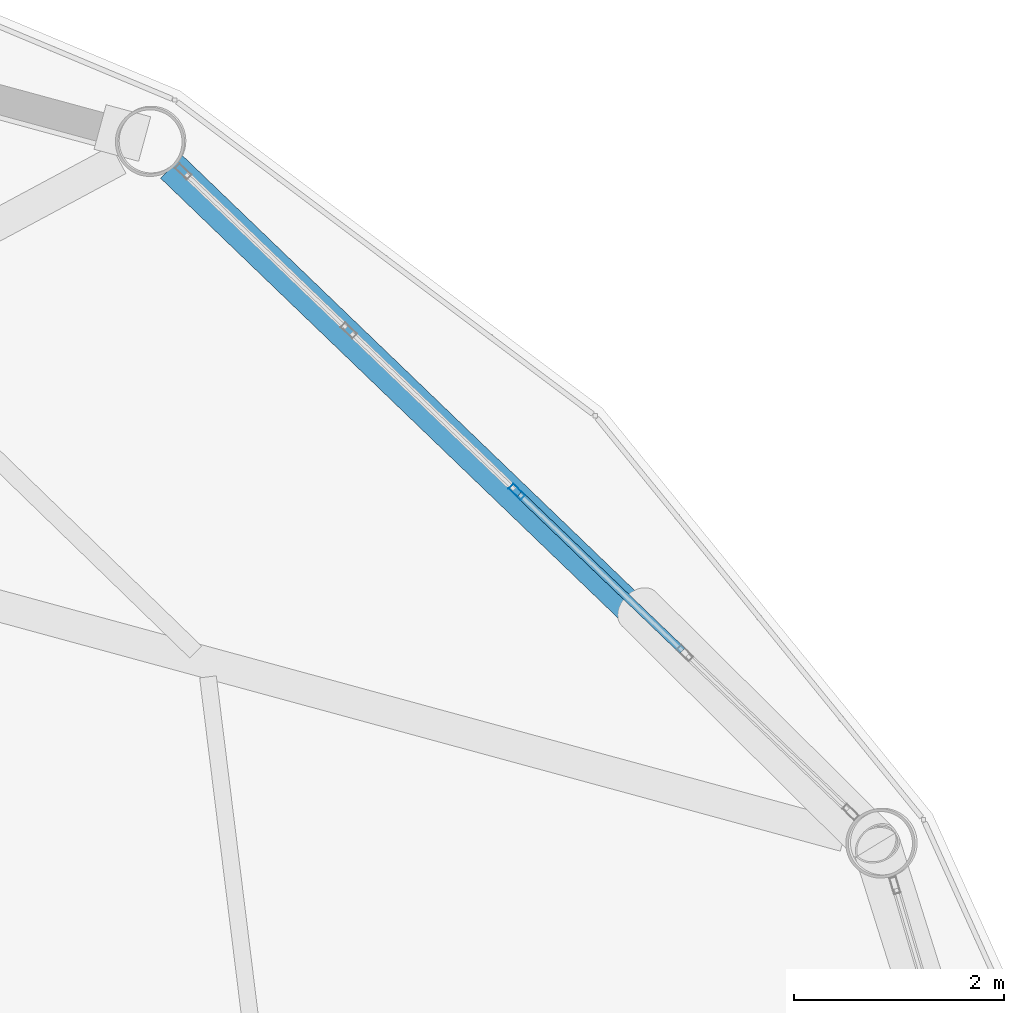
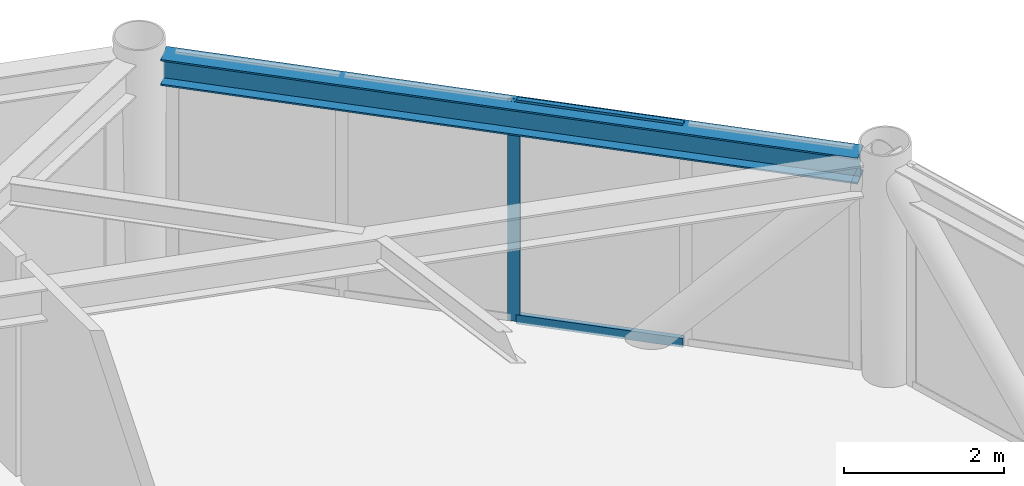
# One storey, part 17 of 28: 3 members, 1 beam, 1 element without a shape of its own.
"""IFC4 building model written with IfcOpenShell, lengths in metres."""

from ifc_helpers import new_model, si_unit, direction, frame, origin, origin_2d, place, context, subcontext, project, spatial, hollow_rectangle, i_section, extrude, material, layer, layer_set, material_profile, profile_set, type_object, element, aggregate, save


model = new_model("IFC4")

# Units and contexts
model_context = context("Model", 3, precision=1e-05, world=origin(), true_north=direction((0.0, 1.0)))
body_context = subcontext(model_context, "Body", "Model", "MODEL_VIEW")
ifc_project = project(units=[si_unit("LENGTHUNIT", "METRE"), si_unit("AREAUNIT", "SQUARE_METRE"), si_unit("VOLUMEUNIT", "CUBIC_METRE"), si_unit("PLANEANGLEUNIT", "RADIAN"), si_unit("MASSUNIT", "GRAM", prefix="KILO")], contexts=[model_context])

# Site, building, storey
site_placement = place(None, origin())
site = spatial("IfcSite", under=ifc_project, at=site_placement, CompositionType="ELEMENT")
building_placement = place(site_placement, origin())
building = spatial("IfcBuilding", under=site, at=building_placement, Name="Varnakorn Sky Granary", CompositionType="ELEMENT")
storey_placement = place(building_placement, frame((0.0, 0.0, 211.199951171875)))
storey = spatial("IfcBuildingStorey", under=building, at=storey_placement, Name="L53", CompositionType="ELEMENT", Elevation=211.199951171875)

# Beam
ifc_material_1 = material(Name="Steel S355JR", Category="steel")
ifc_material_profile_1 = material_profile(ifc_material_1, i_section(OverallWidth=0.300048828125, OverallDepth=0.39990234375, WebThickness=0.013427734375, FlangeThickness=0.02392578125, at=origin_2d()), Name="HE 400 B")
ifc_profile_set_1 = profile_set([ifc_material_profile_1], Name="Steel S355JR")
beam_type = type_object("IfcBeamType", Name="BM-SPD-Z4", PredefinedType="SPANDREL", material=ifc_profile_set_1)
beam_placement = place(storey_placement, frame((21.051513671875, 9.33935546875, 3.16015625), z_axis=(-0.720814826403, 0.693127683791, 0.0), x_axis=(-0.693127683791, -0.720814826403, 0.0)))
element("IfcBeam", 1, at=beam_placement, inside=storey, type_object=beam_type, Name="Perimeter Spandrel Ring Beam RB02 L53", PredefinedType="SPANDREL", context=body_context, shape_type="SweptSolid", body=[
    extrude(i_section(OverallWidth=0.300048828125, OverallDepth=0.39990234375, WebThickness=0.013427734375, FlangeThickness=0.02392578125, at=origin_2d()), origin(), (0.0, 0.0, 1.0), 9.0029296875),
])

# Curtain wall, members
ifc_material_2 = material(Name="Anodised Bronze Aluminium Alloy 6063-T6", Category="aluminium")
ifc_layer = layer(ifc_material_2, 0.169921875, Name="Anodised Bronze Aluminium Alloy 6063-T6")
ifc_layer_set = layer_set([ifc_layer], Name="Anodised Bronze Aluminium Alloy 6063-T6")
curtain_wall_type = type_object("IfcCurtainWallType", Name="CW-LAB-1", PredefinedType="USERDEFINED", material=ifc_layer_set)
curtain_wall_placement = place(storey_placement, origin())
curtain_wall = element("IfcCurtainWall", 2, at=curtain_wall_placement, inside=storey, type_object=curtain_wall_type, Name="Unitised Curtain Wall CW5 CW-L53-B02", ObjectType="CURTAIN WALL", PredefinedType="USERDEFINED")
ifc_material_profile_2 = material_profile(ifc_material_2, hollow_rectangle(XDim=0.06494140625, YDim=0.159912109375, WallThickness=0.00341796875, at=origin_2d()), Name="ALU MULL 65x160")
ifc_profile_set_2 = profile_set([ifc_material_profile_2], Name="Anodised Bronze Aluminium Alloy 6063-T6")
member_type_1 = type_object("IfcMemberType", Name="CW-LAB-1-MULL", PredefinedType="MULLION", material=ifc_profile_set_2)
member_1_placement = place(storey_placement, frame((17.853271484375, 12.482666015625, 0.0), z_axis=(0.0, 0.0, 1.0), x_axis=(0.692516121649, 0.721402398982, 0.0)))
member_1 = element("IfcMember", 3, at=member_1_placement, type_object=member_type_1, Name="CW5 mullion 3", PredefinedType="MULLION", context=body_context, shape_type="SweptSolid", body=[
    extrude(hollow_rectangle(XDim=0.06494140625, YDim=0.159912109375, WallThickness=0.00341796875, at=origin_2d()), origin(), (0.0, 0.0, 1.0), 3.360107421875),
])
ifc_material_profile_3 = material_profile(ifc_material_2, hollow_rectangle(XDim=0.070068359375, YDim=0.139892578125, WallThickness=0.00341796875, at=origin_2d()), Name="ALU TRAN 70x140")
ifc_profile_set_3 = profile_set([ifc_material_profile_3], Name="Anodised Bronze Aluminium Alloy 6063-T6")
member_type_2 = type_object("IfcMemberType", Name="CW-LAB-1-TRAN", PredefinedType="USERDEFINED", material=ifc_profile_set_3)
member_2_placement = place(storey_placement, frame((17.876708984375, 12.460205078125, 0.03515625), z_axis=(0.721405434301, -0.692512959706, 0.0), x_axis=(0.692512959706, 0.721405434301, 0.0)))
member_2 = element("IfcMember", 4, at=member_2_placement, type_object=member_type_2, Name="CW5 transom 3.1", ObjectType="TRANSOM", PredefinedType="USERDEFINED", context=body_context, shape_type="SweptSolid", body=[
    extrude(hollow_rectangle(XDim=0.070068359375, YDim=0.139892578125, WallThickness=0.00341796875, at=origin_2d()), origin(), (0.0, 0.0, 1.0), 2.15478515625),
])
member_3_placement = place(storey_placement, frame((17.876708984375, 12.460205078125, 3.324951171875), z_axis=(0.721405434301, -0.692512959706, 0.0), x_axis=(0.692512959706, 0.721405434301, 0.0)))
member_3 = element("IfcMember", 5, at=member_3_placement, type_object=member_type_2, Name="CW5 transom 3.2", ObjectType="TRANSOM", PredefinedType="USERDEFINED", context=body_context, shape_type="SweptSolid", body=[
    extrude(hollow_rectangle(XDim=0.070068359375, YDim=0.139892578125, WallThickness=0.00341796875, at=origin_2d()), origin(), (0.0, 0.0, 1.0), 2.15478515625),
])
aggregate(curtain_wall, [member_1, member_2, member_3])

save(model, "model.ifc")
